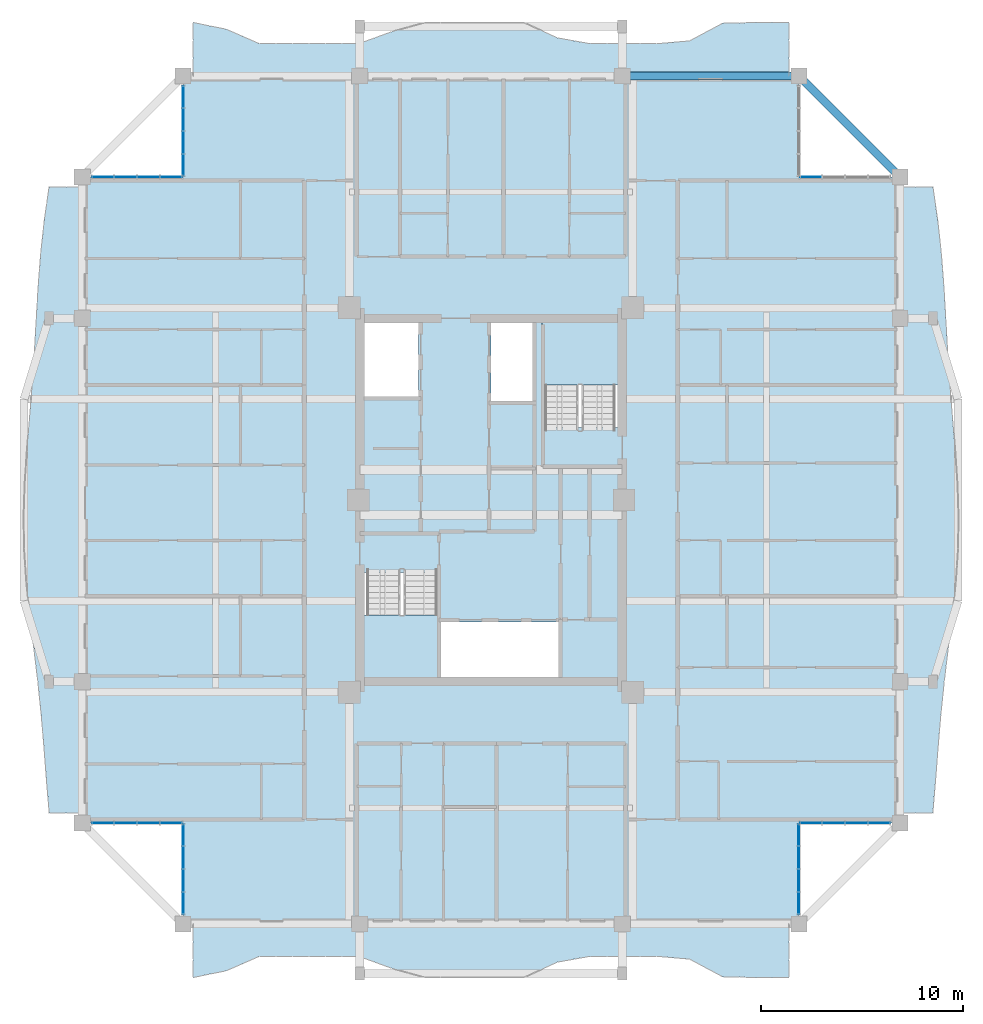
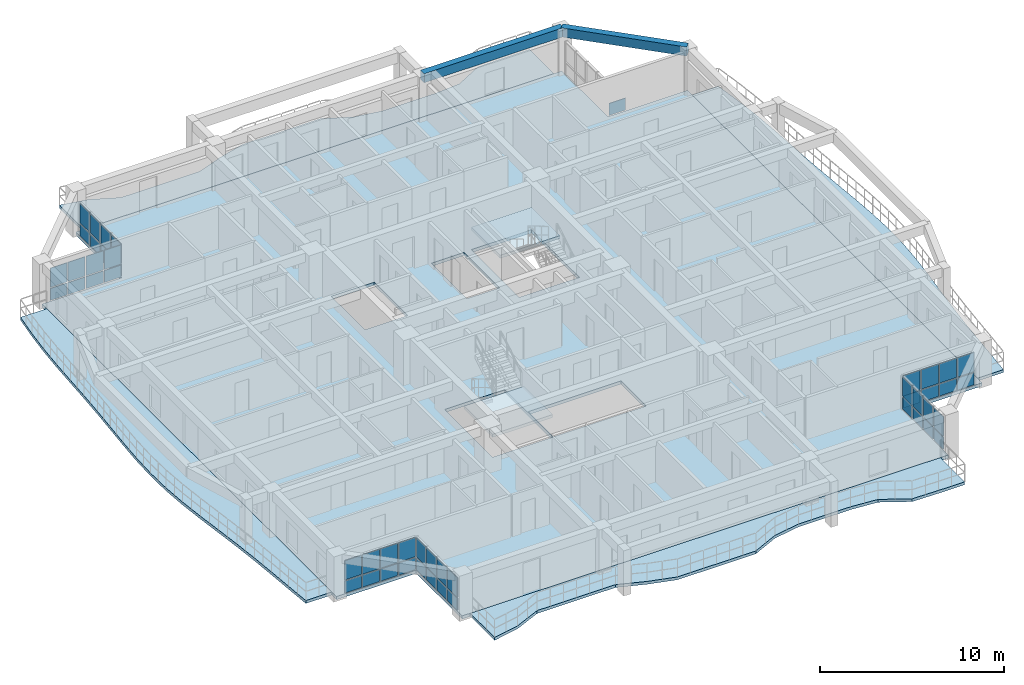
# One storey, part 9 of 22: 49 plates, 7 slabs, 2 beams, 9 elements without a shape of their own.
"""IFC4 building model written with IfcOpenShell, lengths in metres."""

from ifc_helpers import new_model, si_unit, direction, frame, origin, origin_2d, place, context, subcontext, project, spatial, polyline, rectangle, outline, extrude, source, transform, mapped, material, layer, layer_set, material_profile, profile_set, type_object, element, aggregate, save


model = new_model("IFC4")

# Units and contexts
model_context = context("Model", 3, precision=1e-05, world=origin(), true_north=direction((0.0, 1.0)))
body_context = subcontext(model_context, "Body", "Model", "MODEL_VIEW")
ifc_project = project(units=[si_unit("LENGTHUNIT", "METRE"), si_unit("AREAUNIT", "SQUARE_METRE"), si_unit("VOLUMEUNIT", "CUBIC_METRE"), si_unit("PLANEANGLEUNIT", "RADIAN"), si_unit("MASSUNIT", "GRAM", prefix="KILO")], contexts=[model_context])

# Site, building, storey
site_placement = place(None, origin())
site = spatial("IfcSite", under=ifc_project, at=site_placement, CompositionType="ELEMENT")
building_placement = place(site_placement, origin())
building = spatial("IfcBuilding", under=site, at=building_placement, Name="Saelheon Loggia Tower", CompositionType="ELEMENT")
storey_placement = place(building_placement, frame((0.0, 0.0, 176.800048828125)))
storey = spatial("IfcBuildingStorey", under=building, at=storey_placement, Name="L55", CompositionType="ELEMENT", Elevation=176.800048828125)

# Beams
ifc_material_1 = material(Name="Concrete C40/50", Category="concrete")
ifc_material_profile = material_profile(ifc_material_1, rectangle(XDim=0.39990234375, YDim=0.60009765625, at=origin_2d()), Name="RC-400x600")
ifc_profile_set = profile_set([ifc_material_profile], Name="Concrete C40/50")
beam_type = type_object("IfcBeamType", Name="Beam_PerimUpper_RC400x600", PredefinedType="BEAM", material=ifc_profile_set)
shared_shape_1 = source(origin(), body_context, "Body", "SweptSolid", [
    extrude(rectangle(XDim=0.39990234375, YDim=0.60009765625, at=origin_2d()), origin(), (0.0, 0.0, 1.0), 8.75),
])
beam_1_placement = place(storey_placement, frame((53.25, 48.0, 2.699951171875), z_axis=(-1.0, 0.0, 0.0), x_axis=(0.0, -1.0, 0.0)))
element("IfcBeam", 1, at=beam_1_placement, inside=storey, type_object=beam_type, Name="L55 Perimeter Frame Girder 09", PredefinedType="BEAM", context=body_context, shape_type="MappedRepresentation", body=[
    mapped(shared_shape_1, transform((0.0, 0.0, 0.0), scale=1.0)),
])
shared_shape_2 = source(origin(), body_context, "Body", "SweptSolid", [
    extrude(rectangle(XDim=0.39990234375, YDim=0.60009765625, at=origin_2d()), origin(), (0.0, 0.0, 1.0), 7.071044921875),
])
beam_2_placement = place(storey_placement, frame((58.25, 43.0, 2.699951171875), z_axis=(-0.707106781187, 0.707106781187, 0.0), x_axis=(-0.707106781187, -0.707106781187, 0.0)))
element("IfcBeam", 2, at=beam_2_placement, inside=storey, type_object=beam_type, Name="L55 Perimeter Frame Girder 08", PredefinedType="BEAM", context=body_context, shape_type="MappedRepresentation", body=[
    mapped(shared_shape_2, transform((0.0, 0.0, 0.0), scale=1.0)),
])

# Slabs
ifc_material_2 = material(Name="Precast Concrete C45/55", Category="concrete")
ifc_layer_1 = layer(ifc_material_2, 0.18994140625)
ifc_layer_set_1 = layer_set([ifc_layer_1], Name="Precast Concrete C45/55")
slab_type_1 = type_object("IfcSlabType", Name="Slab_Loggia_Ext_190", PredefinedType="FLOOR", material=ifc_layer_set_1)
slab_1_placement = place(storey_placement, frame((0.0, 0.0, -0.18994140625)))
element("IfcSlab", 3, at=slab_1_placement, inside=storey, type_object=slab_type_1, Name="L55 Loggia Balcony Slab S", PredefinedType="FLOOR", context=body_context, shape_type="SweptSolid", body=[
    extrude(outline(polyline([(23.25, 3.35009765625), (24.888916015625, 3.681396484375), (26.52783203125, 4.39990234375), (28.166748046875, 4.39990234375), (29.8056640625, 4.39990234375), (31.4443359375, 4.39990234375), (33.083251953125, 3.8046875), (34.72216796875, 3.35009765625), (36.361083984375, 3.35009765625), (38.0, 3.35009765625), (39.638916015625, 3.35009765625), (41.27783203125, 4.108154296875), (42.916748046875, 4.39990234375), (44.5556640625, 4.39990234375), (46.1943359375, 4.39990234375), (47.833251953125, 4.26025390625), (49.47216796875, 3.385498046875), (51.111083984375, 3.35009765625), (52.75, 3.35009765625), (52.75, 6.0), (23.25, 6.0), (23.25, 3.35009765625)])), origin(), (0.0, 0.0, 1.0), 0.18994140625),
])
slab_2_placement = place(storey_placement, frame((0.0, 0.0, -0.18994140625)))
element("IfcSlab", 4, at=slab_2_placement, inside=storey, type_object=slab_type_1, Name="L55 Loggia Balcony Slab N", PredefinedType="FLOOR", context=body_context, shape_type="SweptSolid", body=[
    extrude(outline(polyline([(23.25, 48.0), (52.75, 48.0), (52.75, 50.64990234375), (51.111083984375, 50.64990234375), (49.47216796875, 50.614501953125), (47.833251953125, 49.73974609375), (46.1943359375, 49.60009765625), (44.5556640625, 49.60009765625), (42.916748046875, 49.60009765625), (41.27783203125, 49.891845703125), (39.638916015625, 50.64990234375), (38.0, 50.64990234375), (36.361083984375, 50.64990234375), (34.72216796875, 50.64990234375), (33.083251953125, 50.1953125), (31.4443359375, 49.60009765625), (29.8056640625, 49.60009765625), (28.166748046875, 49.60009765625), (26.52783203125, 49.60009765625), (24.888916015625, 50.318603515625), (23.25, 50.64990234375), (23.25, 48.0)])), origin(), (0.0, 0.0, 1.0), 0.18994140625),
])
slab_3_placement = place(storey_placement, frame((0.0, 0.0, -0.18994140625)))
element("IfcSlab", 5, at=slab_3_placement, inside=storey, type_object=slab_type_1, Name="L55 Loggia Balcony Slab E", PredefinedType="FLOOR", context=body_context, shape_type="SweptSolid", body=[
    extrude(outline(polyline([(58.25, 11.5), (59.885009765625, 11.5), (60.02099609375, 13.131591796875), (60.145263671875, 14.76318359375), (60.28369140625, 16.394775390625), (60.4521484375, 18.0263671875), (60.64794921875, 19.657958984375), (60.848388671875, 21.28955078125), (61.01953125, 22.921142578125), (61.12841796875, 24.552490234375), (61.155517578125, 26.18408203125), (61.10302734375, 27.81591796875), (60.99267578125, 29.447509765625), (60.857177734375, 31.078857421875), (60.72705078125, 32.71044921875), (60.617919921875, 34.342041015625), (60.5263671875, 35.9736328125), (60.430908203125, 37.605224609375), (60.30419921875, 39.23681640625), (60.12548828125, 40.868408203125), (59.891357421875, 42.5), (58.25, 42.5), (58.25, 11.5)])), origin(), (0.0, 0.0, 1.0), 0.18994140625),
])
slab_4_placement = place(storey_placement, frame((0.0, 0.0, -0.18994140625)))
element("IfcSlab", 6, at=slab_4_placement, inside=storey, type_object=slab_type_1, Name="L55 Loggia Balcony Slab W", PredefinedType="FLOOR", context=body_context, shape_type="SweptSolid", body=[
    extrude(outline(polyline([(17.75, 11.5), (17.75, 42.5), (16.108642578125, 42.5), (15.87451171875, 40.868408203125), (15.69580078125, 39.23681640625), (15.569091796875, 37.605224609375), (15.4736328125, 35.9736328125), (15.382080078125, 34.342041015625), (15.27294921875, 32.71044921875), (15.142822265625, 31.078857421875), (15.00732421875, 29.447509765625), (14.89697265625, 27.81591796875), (14.844482421875, 26.18408203125), (14.87158203125, 24.552490234375), (14.98046875, 22.921142578125), (15.151611328125, 21.28955078125), (15.35205078125, 19.657958984375), (15.5478515625, 18.0263671875), (15.71630859375, 16.394775390625), (15.854736328125, 14.76318359375), (15.97900390625, 13.131591796875), (16.114990234375, 11.5), (17.75, 11.5)])), origin(), (0.0, 0.0, 1.0), 0.18994140625),
])

# Stair, slab
stair_type = type_object("IfcStairType", Name="Stair_Escape_Core", PredefinedType="HALF_TURN_STAIR", material=ifc_material_1)
stair_1_placement = place(storey_placement, origin())
stair_1 = element("IfcStair", 7, at=stair_1_placement, inside=storey, type_object=stair_type, Name="L55 Special Escape Stair ST1", PredefinedType="HALF_TURN_STAIR")
ifc_layer_2 = layer(ifc_material_1, 0.199951171875)
ifc_layer_set_2 = layer_set([ifc_layer_2], Name="Concrete C40/50")
slab_type_2 = type_object("IfcSlabType", Name="Slab_StairLanding_ST1", PredefinedType="LANDING", material=ifc_layer_set_2)
slab_5_placement = place(storey_placement, frame((0.0, 0.0, 1.300048828125)))
slab_5 = element("IfcSlab", 8, at=slab_5_placement, type_object=slab_type_2, Name="ST1 landing 1", PredefinedType="LANDING", context=body_context, shape_type="SweptSolid", body=[
    extrude(outline(polyline([(31.7099609375, 21.31005859375), (31.7099609375, 18.2099609375), (35.469970703125, 18.2099609375), (35.469970703125, 21.31005859375), (31.7099609375, 21.31005859375)])), origin(), (0.0, 0.0, 1.0), 0.199951171875),
])
aggregate(stair_1, [slab_5])

stair_2_placement = place(storey_placement, origin())
stair_2 = element("IfcStair", 9, at=stair_2_placement, inside=storey, type_object=stair_type, Name="L55 Special Escape Stair ST2", PredefinedType="HALF_TURN_STAIR")
ifc_layer_3 = layer(ifc_material_1, 0.199951171875)
ifc_layer_set_3 = layer_set([ifc_layer_3], Name="Concrete C40/50")
slab_type_3 = type_object("IfcSlabType", Name="Slab_StairLanding_ST2", PredefinedType="LANDING", material=ifc_layer_set_3)
slab_6_placement = place(storey_placement, frame((0.0, 0.0, 1.300048828125)))
slab_6 = element("IfcSlab", 10, at=slab_6_placement, type_object=slab_type_3, Name="ST2 landing 1", PredefinedType="LANDING", context=body_context, shape_type="SweptSolid", body=[
    extrude(outline(polyline([(44.2900390625, 32.68994140625), (44.2900390625, 35.7900390625), (40.530029296875, 35.7900390625), (40.530029296875, 32.68994140625), (44.2900390625, 32.68994140625)])), origin(), (0.0, 0.0, 1.0), 0.199951171875),
])
aggregate(stair_2, [slab_6])

# Slab
ifc_layer_4 = layer(ifc_material_1, 0.2099609375)
ifc_layer_set_4 = layer_set([ifc_layer_4], Name="Concrete C40/50")
slab_type_4 = type_object("IfcSlabType", Name="Slab_Tower_210", PredefinedType="FLOOR", material=ifc_layer_set_4)
slab_7_placement = place(storey_placement, frame((0.0, 0.0, -0.2099609375)))
element("IfcSlab", 11, at=slab_7_placement, inside=storey, type_object=slab_type_4, Name="L55 Tower Floor Slab", PredefinedType="FLOOR", context=body_context, shape_type="SweptSolid", body=[
    extrude(outline(polyline([(22.75, 6.0), (53.25, 6.0), (53.25, 11.0), (58.25, 11.0), (58.25, 43.0), (53.25, 43.0), (53.25, 48.0), (22.75, 48.0), (22.75, 43.0), (17.75, 43.0), (17.75, 11.0), (22.75, 11.0), (22.75, 6.0)]), holes=[polyline([(31.699951171875, 23.409912109375), (31.699951171875, 18.199951171875), (35.47998046875, 18.199951171875), (35.47998046875, 23.409912109375), (31.699951171875, 23.409912109375)]), polyline([(44.300048828125, 30.590087890625), (44.300048828125, 35.800048828125), (40.52001953125, 35.800048828125), (40.52001953125, 30.590087890625), (44.300048828125, 30.590087890625)]), polyline([(35.530029296875, 18.22509765625), (41.35009765625, 18.22509765625), (41.35009765625, 20.9599609375), (35.530029296875, 20.9599609375), (35.530029296875, 18.22509765625)]), polyline([(31.72509765625, 32.1201171875), (34.419921875, 32.1201171875), (34.419921875, 35.77490234375), (31.72509765625, 35.77490234375), (31.72509765625, 32.1201171875)]), polyline([(38.0, 31.89990234375), (40.050048828125, 31.89990234375), (40.050048828125, 35.77490234375), (38.0, 35.77490234375), (38.0, 31.89990234375)])]), origin(), (0.0, 0.0, 1.0), 0.2099609375),
])

# Curtain wall, plates
ifc_material_3 = material(Name="High-Wind Aluminium and Triple Laminated Glass", Category="aluminium")
ifc_layer_5 = layer(ifc_material_3, 0.179931640625)
ifc_layer_set_5 = layer_set([ifc_layer_5], Name="High-Wind Aluminium and Triple Laminated Glass")
curtain_wall_type = type_object("IfcCurtainWallType", Name="CW_TowerLoggiaHigh", PredefinedType="NOTDEFINED", material=ifc_layer_set_5)
curtain_wall_1_placement = place(storey_placement, origin())
curtain_wall_1 = element("IfcCurtainWall", 12, at=curtain_wall_1_placement, inside=storey, type_object=curtain_wall_type, Name="L55 Corner Notch Glazing SW1", PredefinedType="NOTDEFINED")
ifc_material_4 = material(Name="Triple Low-E Laminated Glazing", Category="glass")
ifc_layer_6 = layer(ifc_material_4, 0.0439453125)
ifc_layer_set_6 = layer_set([ifc_layer_6], Name="Triple Low-E Laminated Glazing")
plate_type = type_object("IfcPlateType", Name="CW_TowerLoggiaHigh_Panel", PredefinedType="CURTAIN_PANEL", material=ifc_layer_set_6)
shared_shape_3 = source(origin(), body_context, "Body", "SweptSolid", [
    extrude(rectangle(XDim=1.034912109375, YDim=0.0439453125, at=origin_2d()), origin(), (0.0, 0.0, 1.0), 0.794921875),
])
plate_1_placement = place(storey_placement, frame((22.75, 7.027587890625, 0.070068359375), z_axis=(0.0, 0.0, 1.0), x_axis=(0.0, 1.0, 0.0)))
plate_1 = element("IfcPlate", 13, at=plate_1_placement, type_object=plate_type, Name="CW4 panel 1.1", PredefinedType="CURTAIN_PANEL", context=body_context, shape_type="MappedRepresentation", body=[
    mapped(shared_shape_3, transform((0.0, 0.0, 0.0), scale=1.0)),
])
plate_2_placement = place(storey_placement, frame((22.75, 10.41259765625, 0.070068359375), z_axis=(0.0, 0.0, 1.0), x_axis=(0.0, 1.0, 0.0)))
plate_2 = element("IfcPlate", 14, at=plate_2_placement, type_object=plate_type, Name="CW4 panel 4.1", PredefinedType="CURTAIN_PANEL", context=body_context, shape_type="MappedRepresentation", body=[
    mapped(shared_shape_3, transform((0.0, 0.0, 0.0), scale=1.0)),
])

curtain_wall_2_placement = place(storey_placement, origin())
curtain_wall_2 = element("IfcCurtainWall", 15, at=curtain_wall_2_placement, inside=storey, type_object=curtain_wall_type, Name="L55 Corner Notch Glazing SW2", PredefinedType="NOTDEFINED")
plate_3_placement = place(storey_placement, frame((18.777587890625, 11.0, 0.070068359375), z_axis=(0.0, 0.0, 1.0), x_axis=(1.0, 0.0, 0.0)))
plate_3 = element("IfcPlate", 16, at=plate_3_placement, type_object=plate_type, Name="CW4 panel 1.1", PredefinedType="CURTAIN_PANEL", context=body_context, shape_type="MappedRepresentation", body=[
    mapped(shared_shape_3, transform((0.0, 0.0, 0.0), scale=1.0)),
])
plate_4_placement = place(storey_placement, frame((22.16259765625, 11.0, 0.070068359375), z_axis=(0.0, 0.0, 1.0), x_axis=(1.0, 0.0, 0.0)))
plate_4 = element("IfcPlate", 17, at=plate_4_placement, type_object=plate_type, Name="CW4 panel 4.1", PredefinedType="CURTAIN_PANEL", context=body_context, shape_type="MappedRepresentation", body=[
    mapped(shared_shape_3, transform((0.0, 0.0, 0.0), scale=1.0)),
])

curtain_wall_3_placement = place(storey_placement, origin())
curtain_wall_3 = element("IfcCurtainWall", 18, at=curtain_wall_3_placement, inside=storey, type_object=curtain_wall_type, Name="L55 Corner Notch Glazing SE1", PredefinedType="NOTDEFINED")
plate_5_placement = place(storey_placement, frame((53.25, 7.027587890625, 0.070068359375), z_axis=(0.0, 0.0, 1.0), x_axis=(0.0, 1.0, 0.0)))
plate_5 = element("IfcPlate", 19, at=plate_5_placement, type_object=plate_type, Name="CW4 panel 1.1", PredefinedType="CURTAIN_PANEL", context=body_context, shape_type="MappedRepresentation", body=[
    mapped(shared_shape_3, transform((0.0, 0.0, 0.0), scale=1.0)),
])
plate_6_placement = place(storey_placement, frame((53.25, 10.41259765625, 0.070068359375), z_axis=(0.0, 0.0, 1.0), x_axis=(0.0, 1.0, 0.0)))
plate_6 = element("IfcPlate", 20, at=plate_6_placement, type_object=plate_type, Name="CW4 panel 4.1", PredefinedType="CURTAIN_PANEL", context=body_context, shape_type="MappedRepresentation", body=[
    mapped(shared_shape_3, transform((0.0, 0.0, 0.0), scale=1.0)),
])

curtain_wall_4_placement = place(storey_placement, origin())
curtain_wall_4 = element("IfcCurtainWall", 21, at=curtain_wall_4_placement, inside=storey, type_object=curtain_wall_type, Name="L55 Corner Notch Glazing SE2", PredefinedType="NOTDEFINED")
plate_7_placement = place(storey_placement, frame((53.83740234375, 11.0, 0.070068359375), z_axis=(0.0, 0.0, 1.0), x_axis=(1.0, 0.0, 0.0)))
plate_7 = element("IfcPlate", 22, at=plate_7_placement, type_object=plate_type, Name="CW4 panel 1.1", PredefinedType="CURTAIN_PANEL", context=body_context, shape_type="MappedRepresentation", body=[
    mapped(shared_shape_3, transform((0.0, 0.0, 0.0), scale=1.0)),
])
plate_8_placement = place(storey_placement, frame((57.222412109375, 11.0, 0.070068359375), z_axis=(0.0, 0.0, 1.0), x_axis=(1.0, 0.0, 0.0)))
plate_8 = element("IfcPlate", 23, at=plate_8_placement, type_object=plate_type, Name="CW4 panel 4.1", PredefinedType="CURTAIN_PANEL", context=body_context, shape_type="MappedRepresentation", body=[
    mapped(shared_shape_3, transform((0.0, 0.0, 0.0), scale=1.0)),
])

curtain_wall_5_placement = place(storey_placement, origin())
curtain_wall_5 = element("IfcCurtainWall", 24, at=curtain_wall_5_placement, inside=storey, type_object=curtain_wall_type, Name="L55 Corner Notch Glazing NW1", PredefinedType="NOTDEFINED")
plate_9_placement = place(storey_placement, frame((22.75, 43.58740234375, 0.070068359375), z_axis=(0.0, 0.0, 1.0), x_axis=(0.0, 1.0, 0.0)))
plate_9 = element("IfcPlate", 25, at=plate_9_placement, type_object=plate_type, Name="CW4 panel 1.1", PredefinedType="CURTAIN_PANEL", context=body_context, shape_type="MappedRepresentation", body=[
    mapped(shared_shape_3, transform((0.0, 0.0, 0.0), scale=1.0)),
])
plate_10_placement = place(storey_placement, frame((22.75, 46.972412109375, 0.070068359375), z_axis=(0.0, 0.0, 1.0), x_axis=(0.0, 1.0, 0.0)))
plate_10 = element("IfcPlate", 26, at=plate_10_placement, type_object=plate_type, Name="CW4 panel 4.1", PredefinedType="CURTAIN_PANEL", context=body_context, shape_type="MappedRepresentation", body=[
    mapped(shared_shape_3, transform((0.0, 0.0, 0.0), scale=1.0)),
])

curtain_wall_6_placement = place(storey_placement, origin())
curtain_wall_6 = element("IfcCurtainWall", 27, at=curtain_wall_6_placement, inside=storey, type_object=curtain_wall_type, Name="L55 Corner Notch Glazing NW2", PredefinedType="NOTDEFINED")
plate_11_placement = place(storey_placement, frame((18.777587890625, 43.0, 0.070068359375), z_axis=(0.0, 0.0, 1.0), x_axis=(1.0, 0.0, 0.0)))
plate_11 = element("IfcPlate", 28, at=plate_11_placement, type_object=plate_type, Name="CW4 panel 1.1", PredefinedType="CURTAIN_PANEL", context=body_context, shape_type="MappedRepresentation", body=[
    mapped(shared_shape_3, transform((0.0, 0.0, 0.0), scale=1.0)),
])
plate_12_placement = place(storey_placement, frame((22.16259765625, 43.0, 0.070068359375), z_axis=(0.0, 0.0, 1.0), x_axis=(1.0, 0.0, 0.0)))
plate_12 = element("IfcPlate", 29, at=plate_12_placement, type_object=plate_type, Name="CW4 panel 4.1", PredefinedType="CURTAIN_PANEL", context=body_context, shape_type="MappedRepresentation", body=[
    mapped(shared_shape_3, transform((0.0, 0.0, 0.0), scale=1.0)),
])

# Curtain wall, plate
curtain_wall_7_placement = place(storey_placement, origin())
curtain_wall_7 = element("IfcCurtainWall", 30, at=curtain_wall_7_placement, inside=storey, type_object=curtain_wall_type, Name="L55 Corner Notch Glazing NE2", PredefinedType="NOTDEFINED")
plate_13_placement = place(storey_placement, frame((53.83740234375, 43.0, 0.070068359375), z_axis=(0.0, 0.0, 1.0), x_axis=(1.0, 0.0, 0.0)))
plate_13 = element("IfcPlate", 31, at=plate_13_placement, type_object=plate_type, Name="CW4 panel 1.1", PredefinedType="CURTAIN_PANEL", context=body_context, shape_type="MappedRepresentation", body=[
    mapped(shared_shape_3, transform((0.0, 0.0, 0.0), scale=1.0)),
])
aggregate(curtain_wall_7, [plate_13])

# Plate
shared_shape_4 = source(origin(), body_context, "Body", "SweptSolid", [
    extrude(rectangle(XDim=1.034912109375, YDim=0.0439453125, at=origin_2d()), origin(), (0.0, 0.0, 1.0), 1.27490234375),
])
plate_14_placement = place(storey_placement, frame((22.75, 7.027587890625, 0.93505859375), z_axis=(0.0, 0.0, 1.0), x_axis=(0.0, 1.0, 0.0)))
plate_14 = element("IfcPlate", 32, at=plate_14_placement, type_object=plate_type, Name="CW4 panel 1.2", PredefinedType="CURTAIN_PANEL", context=body_context, shape_type="MappedRepresentation", body=[
    mapped(shared_shape_4, transform((0.0, 0.0, 0.0), scale=1.0)),
])

plate_15_placement = place(storey_placement, frame((22.75, 10.41259765625, 0.93505859375), z_axis=(0.0, 0.0, 1.0), x_axis=(0.0, 1.0, 0.0)))
plate_15 = element("IfcPlate", 33, at=plate_15_placement, type_object=plate_type, Name="CW4 panel 4.2", PredefinedType="CURTAIN_PANEL", context=body_context, shape_type="MappedRepresentation", body=[
    mapped(shared_shape_4, transform((0.0, 0.0, 0.0), scale=1.0)),
])

plate_16_placement = place(storey_placement, frame((18.777587890625, 11.0, 0.93505859375), z_axis=(0.0, 0.0, 1.0), x_axis=(1.0, 0.0, 0.0)))
plate_16 = element("IfcPlate", 34, at=plate_16_placement, type_object=plate_type, Name="CW4 panel 1.2", PredefinedType="CURTAIN_PANEL", context=body_context, shape_type="MappedRepresentation", body=[
    mapped(shared_shape_4, transform((0.0, 0.0, 0.0), scale=1.0)),
])

plate_17_placement = place(storey_placement, frame((22.16259765625, 11.0, 0.93505859375), z_axis=(0.0, 0.0, 1.0), x_axis=(1.0, 0.0, 0.0)))
plate_17 = element("IfcPlate", 35, at=plate_17_placement, type_object=plate_type, Name="CW4 panel 4.2", PredefinedType="CURTAIN_PANEL", context=body_context, shape_type="MappedRepresentation", body=[
    mapped(shared_shape_4, transform((0.0, 0.0, 0.0), scale=1.0)),
])

plate_18_placement = place(storey_placement, frame((53.25, 7.027587890625, 0.93505859375), z_axis=(0.0, 0.0, 1.0), x_axis=(0.0, 1.0, 0.0)))
plate_18 = element("IfcPlate", 36, at=plate_18_placement, type_object=plate_type, Name="CW4 panel 1.2", PredefinedType="CURTAIN_PANEL", context=body_context, shape_type="MappedRepresentation", body=[
    mapped(shared_shape_4, transform((0.0, 0.0, 0.0), scale=1.0)),
])

plate_19_placement = place(storey_placement, frame((53.25, 10.41259765625, 0.93505859375), z_axis=(0.0, 0.0, 1.0), x_axis=(0.0, 1.0, 0.0)))
plate_19 = element("IfcPlate", 37, at=plate_19_placement, type_object=plate_type, Name="CW4 panel 4.2", PredefinedType="CURTAIN_PANEL", context=body_context, shape_type="MappedRepresentation", body=[
    mapped(shared_shape_4, transform((0.0, 0.0, 0.0), scale=1.0)),
])

plate_20_placement = place(storey_placement, frame((53.83740234375, 11.0, 0.93505859375), z_axis=(0.0, 0.0, 1.0), x_axis=(1.0, 0.0, 0.0)))
plate_20 = element("IfcPlate", 38, at=plate_20_placement, type_object=plate_type, Name="CW4 panel 1.2", PredefinedType="CURTAIN_PANEL", context=body_context, shape_type="MappedRepresentation", body=[
    mapped(shared_shape_4, transform((0.0, 0.0, 0.0), scale=1.0)),
])

plate_21_placement = place(storey_placement, frame((57.222412109375, 11.0, 0.93505859375), z_axis=(0.0, 0.0, 1.0), x_axis=(1.0, 0.0, 0.0)))
plate_21 = element("IfcPlate", 39, at=plate_21_placement, type_object=plate_type, Name="CW4 panel 4.2", PredefinedType="CURTAIN_PANEL", context=body_context, shape_type="MappedRepresentation", body=[
    mapped(shared_shape_4, transform((0.0, 0.0, 0.0), scale=1.0)),
])

plate_22_placement = place(storey_placement, frame((22.75, 43.58740234375, 0.93505859375), z_axis=(0.0, 0.0, 1.0), x_axis=(0.0, 1.0, 0.0)))
plate_22 = element("IfcPlate", 40, at=plate_22_placement, type_object=plate_type, Name="CW4 panel 1.2", PredefinedType="CURTAIN_PANEL", context=body_context, shape_type="MappedRepresentation", body=[
    mapped(shared_shape_4, transform((0.0, 0.0, 0.0), scale=1.0)),
])

plate_23_placement = place(storey_placement, frame((22.75, 46.972412109375, 0.93505859375), z_axis=(0.0, 0.0, 1.0), x_axis=(0.0, 1.0, 0.0)))
plate_23 = element("IfcPlate", 41, at=plate_23_placement, type_object=plate_type, Name="CW4 panel 4.2", PredefinedType="CURTAIN_PANEL", context=body_context, shape_type="MappedRepresentation", body=[
    mapped(shared_shape_4, transform((0.0, 0.0, 0.0), scale=1.0)),
])

plate_24_placement = place(storey_placement, frame((18.777587890625, 43.0, 0.93505859375), z_axis=(0.0, 0.0, 1.0), x_axis=(1.0, 0.0, 0.0)))
plate_24 = element("IfcPlate", 42, at=plate_24_placement, type_object=plate_type, Name="CW4 panel 1.2", PredefinedType="CURTAIN_PANEL", context=body_context, shape_type="MappedRepresentation", body=[
    mapped(shared_shape_4, transform((0.0, 0.0, 0.0), scale=1.0)),
])

plate_25_placement = place(storey_placement, frame((22.16259765625, 43.0, 0.93505859375), z_axis=(0.0, 0.0, 1.0), x_axis=(1.0, 0.0, 0.0)))
plate_25 = element("IfcPlate", 43, at=plate_25_placement, type_object=plate_type, Name="CW4 panel 4.2", PredefinedType="CURTAIN_PANEL", context=body_context, shape_type="MappedRepresentation", body=[
    mapped(shared_shape_4, transform((0.0, 0.0, 0.0), scale=1.0)),
])

shared_shape_5 = source(origin(), body_context, "Body", "SweptSolid", [
    extrude(rectangle(XDim=1.070068359375, YDim=0.0439453125, at=origin_2d()), origin(), (0.0, 0.0, 1.0), 0.794921875),
])
plate_26_placement = place(storey_placement, frame((22.75, 8.14990234375, 0.070068359375), z_axis=(0.0, 0.0, 1.0), x_axis=(0.0, 1.0, 0.0)))
plate_26 = element("IfcPlate", 44, at=plate_26_placement, type_object=plate_type, Name="CW4 panel 2.1", PredefinedType="CURTAIN_PANEL", context=body_context, shape_type="MappedRepresentation", body=[
    mapped(shared_shape_5, transform((0.0, 0.0, 0.0), scale=1.0)),
])

plate_27_placement = place(storey_placement, frame((22.75, 9.2900390625, 0.070068359375), z_axis=(0.0, 0.0, 1.0), x_axis=(0.0, 1.0, 0.0)))
plate_27 = element("IfcPlate", 45, at=plate_27_placement, type_object=plate_type, Name="CW4 panel 3.1", PredefinedType="CURTAIN_PANEL", context=body_context, shape_type="MappedRepresentation", body=[
    mapped(shared_shape_5, transform((0.0, 0.0, 0.0), scale=1.0)),
])

plate_28_placement = place(storey_placement, frame((19.89990234375, 11.0, 0.070068359375), z_axis=(0.0, 0.0, 1.0), x_axis=(1.0, 0.0, 0.0)))
plate_28 = element("IfcPlate", 46, at=plate_28_placement, type_object=plate_type, Name="CW4 panel 2.1", PredefinedType="CURTAIN_PANEL", context=body_context, shape_type="MappedRepresentation", body=[
    mapped(shared_shape_5, transform((0.0, 0.0, 0.0), scale=1.0)),
])

plate_29_placement = place(storey_placement, frame((21.0400390625, 11.0, 0.070068359375), z_axis=(0.0, 0.0, 1.0), x_axis=(1.0, 0.0, 0.0)))
plate_29 = element("IfcPlate", 47, at=plate_29_placement, type_object=plate_type, Name="CW4 panel 3.1", PredefinedType="CURTAIN_PANEL", context=body_context, shape_type="MappedRepresentation", body=[
    mapped(shared_shape_5, transform((0.0, 0.0, 0.0), scale=1.0)),
])

plate_30_placement = place(storey_placement, frame((53.25, 8.14990234375, 0.070068359375), z_axis=(0.0, 0.0, 1.0), x_axis=(0.0, 1.0, 0.0)))
plate_30 = element("IfcPlate", 48, at=plate_30_placement, type_object=plate_type, Name="CW4 panel 2.1", PredefinedType="CURTAIN_PANEL", context=body_context, shape_type="MappedRepresentation", body=[
    mapped(shared_shape_5, transform((0.0, 0.0, 0.0), scale=1.0)),
])

plate_31_placement = place(storey_placement, frame((53.25, 9.2900390625, 0.070068359375), z_axis=(0.0, 0.0, 1.0), x_axis=(0.0, 1.0, 0.0)))
plate_31 = element("IfcPlate", 49, at=plate_31_placement, type_object=plate_type, Name="CW4 panel 3.1", PredefinedType="CURTAIN_PANEL", context=body_context, shape_type="MappedRepresentation", body=[
    mapped(shared_shape_5, transform((0.0, 0.0, 0.0), scale=1.0)),
])

plate_32_placement = place(storey_placement, frame((54.9599609375, 11.0, 0.070068359375), z_axis=(0.0, 0.0, 1.0), x_axis=(1.0, 0.0, 0.0)))
plate_32 = element("IfcPlate", 50, at=plate_32_placement, type_object=plate_type, Name="CW4 panel 2.1", PredefinedType="CURTAIN_PANEL", context=body_context, shape_type="MappedRepresentation", body=[
    mapped(shared_shape_5, transform((0.0, 0.0, 0.0), scale=1.0)),
])

plate_33_placement = place(storey_placement, frame((56.10009765625, 11.0, 0.070068359375), z_axis=(0.0, 0.0, 1.0), x_axis=(1.0, 0.0, 0.0)))
plate_33 = element("IfcPlate", 51, at=plate_33_placement, type_object=plate_type, Name="CW4 panel 3.1", PredefinedType="CURTAIN_PANEL", context=body_context, shape_type="MappedRepresentation", body=[
    mapped(shared_shape_5, transform((0.0, 0.0, 0.0), scale=1.0)),
])

plate_34_placement = place(storey_placement, frame((22.75, 44.7099609375, 0.070068359375), z_axis=(0.0, 0.0, 1.0), x_axis=(0.0, 1.0, 0.0)))
plate_34 = element("IfcPlate", 52, at=plate_34_placement, type_object=plate_type, Name="CW4 panel 2.1", PredefinedType="CURTAIN_PANEL", context=body_context, shape_type="MappedRepresentation", body=[
    mapped(shared_shape_5, transform((0.0, 0.0, 0.0), scale=1.0)),
])

plate_35_placement = place(storey_placement, frame((22.75, 45.85009765625, 0.070068359375), z_axis=(0.0, 0.0, 1.0), x_axis=(0.0, 1.0, 0.0)))
plate_35 = element("IfcPlate", 53, at=plate_35_placement, type_object=plate_type, Name="CW4 panel 3.1", PredefinedType="CURTAIN_PANEL", context=body_context, shape_type="MappedRepresentation", body=[
    mapped(shared_shape_5, transform((0.0, 0.0, 0.0), scale=1.0)),
])

plate_36_placement = place(storey_placement, frame((19.89990234375, 43.0, 0.070068359375), z_axis=(0.0, 0.0, 1.0), x_axis=(1.0, 0.0, 0.0)))
plate_36 = element("IfcPlate", 54, at=plate_36_placement, type_object=plate_type, Name="CW4 panel 2.1", PredefinedType="CURTAIN_PANEL", context=body_context, shape_type="MappedRepresentation", body=[
    mapped(shared_shape_5, transform((0.0, 0.0, 0.0), scale=1.0)),
])

plate_37_placement = place(storey_placement, frame((21.0400390625, 43.0, 0.070068359375), z_axis=(0.0, 0.0, 1.0), x_axis=(1.0, 0.0, 0.0)))
plate_37 = element("IfcPlate", 55, at=plate_37_placement, type_object=plate_type, Name="CW4 panel 3.1", PredefinedType="CURTAIN_PANEL", context=body_context, shape_type="MappedRepresentation", body=[
    mapped(shared_shape_5, transform((0.0, 0.0, 0.0), scale=1.0)),
])

shared_shape_6 = source(origin(), body_context, "Body", "SweptSolid", [
    extrude(rectangle(XDim=1.070068359375, YDim=0.0439453125, at=origin_2d()), origin(), (0.0, 0.0, 1.0), 1.27490234375),
])
plate_38_placement = place(storey_placement, frame((22.75, 8.14990234375, 0.93505859375), z_axis=(0.0, 0.0, 1.0), x_axis=(0.0, 1.0, 0.0)))
plate_38 = element("IfcPlate", 56, at=plate_38_placement, type_object=plate_type, Name="CW4 panel 2.2", PredefinedType="CURTAIN_PANEL", context=body_context, shape_type="MappedRepresentation", body=[
    mapped(shared_shape_6, transform((0.0, 0.0, 0.0), scale=1.0)),
])

plate_39_placement = place(storey_placement, frame((22.75, 9.2900390625, 0.93505859375), z_axis=(0.0, 0.0, 1.0), x_axis=(0.0, 1.0, 0.0)))
plate_39 = element("IfcPlate", 57, at=plate_39_placement, type_object=plate_type, Name="CW4 panel 3.2", PredefinedType="CURTAIN_PANEL", context=body_context, shape_type="MappedRepresentation", body=[
    mapped(shared_shape_6, transform((0.0, 0.0, 0.0), scale=1.0)),
])

aggregate(curtain_wall_1, [plate_1, plate_14, plate_26, plate_38, plate_27, plate_39, plate_2, plate_15])

plate_40_placement = place(storey_placement, frame((19.89990234375, 11.0, 0.93505859375), z_axis=(0.0, 0.0, 1.0), x_axis=(1.0, 0.0, 0.0)))
plate_40 = element("IfcPlate", 58, at=plate_40_placement, type_object=plate_type, Name="CW4 panel 2.2", PredefinedType="CURTAIN_PANEL", context=body_context, shape_type="MappedRepresentation", body=[
    mapped(shared_shape_6, transform((0.0, 0.0, 0.0), scale=1.0)),
])

plate_41_placement = place(storey_placement, frame((21.0400390625, 11.0, 0.93505859375), z_axis=(0.0, 0.0, 1.0), x_axis=(1.0, 0.0, 0.0)))
plate_41 = element("IfcPlate", 59, at=plate_41_placement, type_object=plate_type, Name="CW4 panel 3.2", PredefinedType="CURTAIN_PANEL", context=body_context, shape_type="MappedRepresentation", body=[
    mapped(shared_shape_6, transform((0.0, 0.0, 0.0), scale=1.0)),
])

aggregate(curtain_wall_2, [plate_3, plate_16, plate_28, plate_40, plate_29, plate_41, plate_4, plate_17])

plate_42_placement = place(storey_placement, frame((53.25, 8.14990234375, 0.93505859375), z_axis=(0.0, 0.0, 1.0), x_axis=(0.0, 1.0, 0.0)))
plate_42 = element("IfcPlate", 60, at=plate_42_placement, type_object=plate_type, Name="CW4 panel 2.2", PredefinedType="CURTAIN_PANEL", context=body_context, shape_type="MappedRepresentation", body=[
    mapped(shared_shape_6, transform((0.0, 0.0, 0.0), scale=1.0)),
])

plate_43_placement = place(storey_placement, frame((53.25, 9.2900390625, 0.93505859375), z_axis=(0.0, 0.0, 1.0), x_axis=(0.0, 1.0, 0.0)))
plate_43 = element("IfcPlate", 61, at=plate_43_placement, type_object=plate_type, Name="CW4 panel 3.2", PredefinedType="CURTAIN_PANEL", context=body_context, shape_type="MappedRepresentation", body=[
    mapped(shared_shape_6, transform((0.0, 0.0, 0.0), scale=1.0)),
])

aggregate(curtain_wall_3, [plate_5, plate_18, plate_30, plate_42, plate_31, plate_43, plate_6, plate_19])

plate_44_placement = place(storey_placement, frame((54.9599609375, 11.0, 0.93505859375), z_axis=(0.0, 0.0, 1.0), x_axis=(1.0, 0.0, 0.0)))
plate_44 = element("IfcPlate", 62, at=plate_44_placement, type_object=plate_type, Name="CW4 panel 2.2", PredefinedType="CURTAIN_PANEL", context=body_context, shape_type="MappedRepresentation", body=[
    mapped(shared_shape_6, transform((0.0, 0.0, 0.0), scale=1.0)),
])

plate_45_placement = place(storey_placement, frame((56.10009765625, 11.0, 0.93505859375), z_axis=(0.0, 0.0, 1.0), x_axis=(1.0, 0.0, 0.0)))
plate_45 = element("IfcPlate", 63, at=plate_45_placement, type_object=plate_type, Name="CW4 panel 3.2", PredefinedType="CURTAIN_PANEL", context=body_context, shape_type="MappedRepresentation", body=[
    mapped(shared_shape_6, transform((0.0, 0.0, 0.0), scale=1.0)),
])

aggregate(curtain_wall_4, [plate_7, plate_20, plate_32, plate_44, plate_33, plate_45, plate_8, plate_21])

plate_46_placement = place(storey_placement, frame((22.75, 44.7099609375, 0.93505859375), z_axis=(0.0, 0.0, 1.0), x_axis=(0.0, 1.0, 0.0)))
plate_46 = element("IfcPlate", 64, at=plate_46_placement, type_object=plate_type, Name="CW4 panel 2.2", PredefinedType="CURTAIN_PANEL", context=body_context, shape_type="MappedRepresentation", body=[
    mapped(shared_shape_6, transform((0.0, 0.0, 0.0), scale=1.0)),
])

plate_47_placement = place(storey_placement, frame((22.75, 45.85009765625, 0.93505859375), z_axis=(0.0, 0.0, 1.0), x_axis=(0.0, 1.0, 0.0)))
plate_47 = element("IfcPlate", 65, at=plate_47_placement, type_object=plate_type, Name="CW4 panel 3.2", PredefinedType="CURTAIN_PANEL", context=body_context, shape_type="MappedRepresentation", body=[
    mapped(shared_shape_6, transform((0.0, 0.0, 0.0), scale=1.0)),
])

aggregate(curtain_wall_5, [plate_9, plate_22, plate_34, plate_46, plate_35, plate_47, plate_10, plate_23])

plate_48_placement = place(storey_placement, frame((19.89990234375, 43.0, 0.93505859375), z_axis=(0.0, 0.0, 1.0), x_axis=(1.0, 0.0, 0.0)))
plate_48 = element("IfcPlate", 66, at=plate_48_placement, type_object=plate_type, Name="CW4 panel 2.2", PredefinedType="CURTAIN_PANEL", context=body_context, shape_type="MappedRepresentation", body=[
    mapped(shared_shape_6, transform((0.0, 0.0, 0.0), scale=1.0)),
])

plate_49_placement = place(storey_placement, frame((21.0400390625, 43.0, 0.93505859375), z_axis=(0.0, 0.0, 1.0), x_axis=(1.0, 0.0, 0.0)))
plate_49 = element("IfcPlate", 67, at=plate_49_placement, type_object=plate_type, Name="CW4 panel 3.2", PredefinedType="CURTAIN_PANEL", context=body_context, shape_type="MappedRepresentation", body=[
    mapped(shared_shape_6, transform((0.0, 0.0, 0.0), scale=1.0)),
])

aggregate(curtain_wall_6, [plate_11, plate_24, plate_36, plate_48, plate_37, plate_49, plate_12, plate_25])

save(model, "model.ifc")
